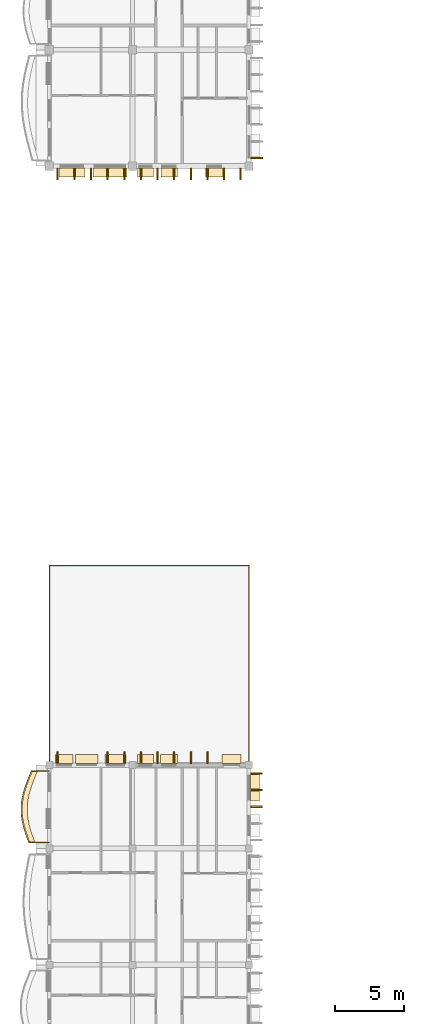
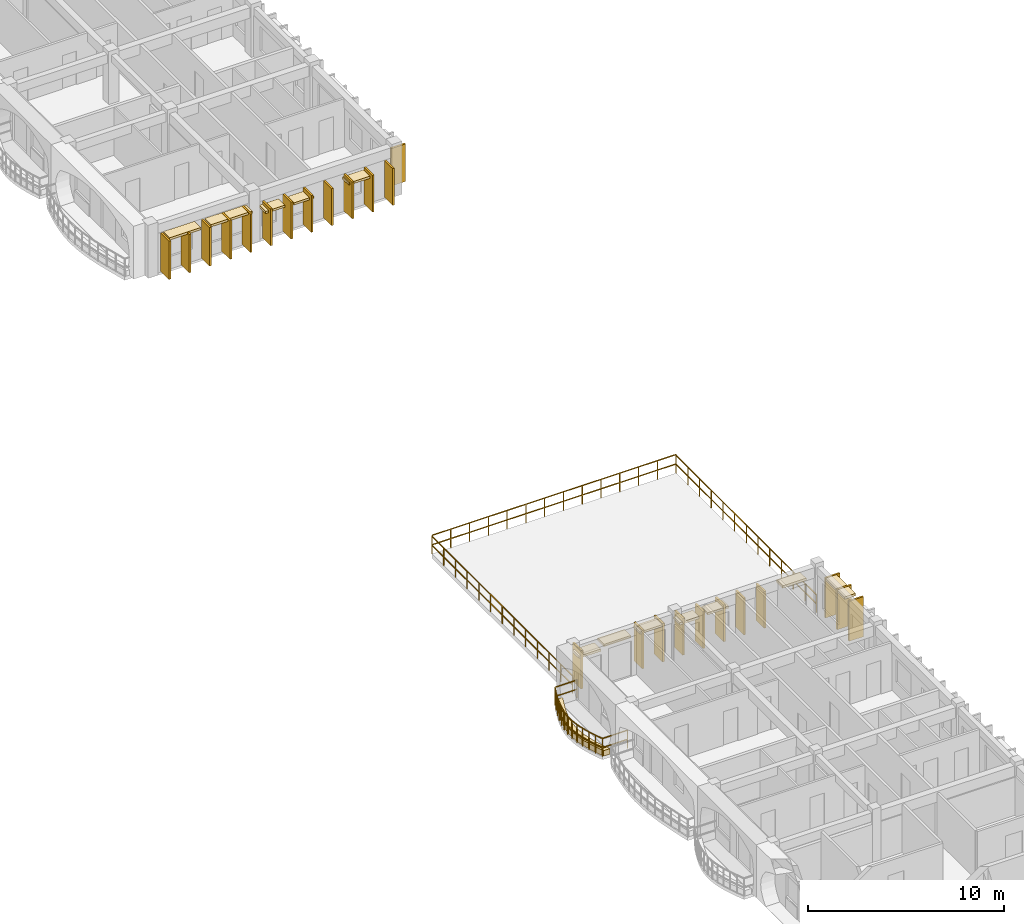
# One storey, part 40 of 59: 37 coverings, 4 railings.
"""IFC4 building model written with IfcOpenShell, lengths in metres."""

from ifc_helpers import new_model, si_unit, direction, frame, origin, origin_2d, place, context, subcontext, project, spatial, polyline, rectangle, outline, extrude, material, layer, layer_set, type_object, element, save


model = new_model("IFC4")

# Units and contexts
model_context = context("Model", 3, precision=1e-05, world=origin(), true_north=direction((0.0, 1.0)))
body_context = subcontext(model_context, "Body", "Model", "MODEL_VIEW")
ifc_project = project(units=[si_unit("LENGTHUNIT", "METRE"), si_unit("AREAUNIT", "SQUARE_METRE"), si_unit("VOLUMEUNIT", "CUBIC_METRE"), si_unit("PLANEANGLEUNIT", "RADIAN"), si_unit("MASSUNIT", "GRAM", prefix="KILO"), si_unit("THERMODYNAMICTEMPERATUREUNIT", "KELVIN")], contexts=[model_context])

# Site, building, storey
site_placement = place(None, origin())
site = spatial("IfcSite", under=ifc_project, at=site_placement, CompositionType="ELEMENT")
building_placement = place(site_placement, origin())
building = spatial("IfcBuilding", under=site, at=building_placement, Name="Thalorik Housing Commons", CompositionType="ELEMENT")
storey_placement = place(building_placement, frame((0.0, 0.0, 27.89990234375)))
storey = spatial("IfcBuildingStorey", under=building, at=storey_placement, Name="L08", CompositionType="ELEMENT", Elevation=27.89990234375)

# Coverings
ifc_material_1 = material(Name="Precast concrete C40/50", Category="concrete")
ifc_layer_1 = layer(ifc_material_1, 0.85009765625, Name="Precast concrete C40/50", Category="concrete")
ifc_layer_set_1 = layer_set([ifc_layer_1], Name="Precast concrete C40/50")
covering_type_1 = type_object("IfcCoveringType", Name="ARC-CLD-FIN-850", PredefinedType="CLADDING", material=ifc_layer_set_1)
for number, where, z_axis, x_axis, name in (
    (1, (9.0, 85.844970703125, 0.0400390625), (0.0, 0.0, 1.0), (1.0, 0.0, 0.0), "L08 Courtyard Precast Vertical Brise-Soleil Fin 873"),
    (2, (10.199951171875, 85.844970703125, 0.0400390625), (0.0, 0.0, 1.0), (1.0, 0.0, 0.0), "L08 Courtyard Precast Vertical Brise-Soleil Fin 874"),
    (3, (11.39990234375, 85.844970703125, 0.0400390625), (0.0, 0.0, 1.0), (1.0, 0.0, 0.0), "L08 Courtyard Precast Vertical Brise-Soleil Fin 875"),
    (4, (12.60009765625, 85.844970703125, 0.0400390625), (0.0, 0.0, 1.0), (1.0, 0.0, 0.0), "L08 Courtyard Precast Vertical Brise-Soleil Fin 876"),
    (5, (13.800048828125, 85.844970703125, 0.0400390625), (0.0, 0.0, 1.0), (1.0, 0.0, 0.0), "L08 Courtyard Precast Vertical Brise-Soleil Fin 877"),
):
    element("IfcCovering", number, at=place(storey_placement, frame(where, z_axis=z_axis, x_axis=x_axis)), inside=storey, type_object=covering_type_1, Name=name, PredefinedType="CLADDING", context=body_context, shape_type="SweptSolid", body=[
        extrude(rectangle(XDim=0.110107421875, YDim=0.85009765625, at=origin_2d()), origin(), (0.0, 0.0, 1.0), 2.39501953125),
    ])
for number, where, z_axis, x_axis, name in (
    (6, (15.0, 85.844970703125, 0.0400390625), (0.0, 0.0, 1.0), (1.0, 0.0, 0.0), "L08 Courtyard Precast Vertical Brise-Soleil Fin 880"),
    (7, (16.199951171875, 85.844970703125, 0.0400390625), (0.0, 0.0, 1.0), (1.0, 0.0, 0.0), "L08 Courtyard Precast Vertical Brise-Soleil Fin 881"),
    (8, (17.39990234375, 85.844970703125, 0.0400390625), (0.0, 0.0, 1.0), (1.0, 0.0, 0.0), "L08 Courtyard Precast Vertical Brise-Soleil Fin 882"),
    (9, (18.60009765625, 85.844970703125, 0.0400390625), (0.0, 0.0, 1.0), (1.0, 0.0, 0.0), "L08 Courtyard Precast Vertical Brise-Soleil Fin 883"),
    (10, (19.800048828125, 85.844970703125, 0.0400390625), (0.0, 0.0, 1.0), (1.0, 0.0, 0.0), "L08 Courtyard Precast Vertical Brise-Soleil Fin 884"),
    (11, (21.0, 85.844970703125, 0.0400390625), (0.0, 0.0, 1.0), (1.0, 0.0, 0.0), "L08 Courtyard Precast Vertical Brise-Soleil Fin 885"),
    (12, (22.199951171875, 85.844970703125, 0.0400390625), (0.0, 0.0, 1.0), (1.0, 0.0, 0.0), "L08 Courtyard Precast Vertical Brise-Soleil Fin 886"),
):
    element("IfcCovering", number, at=place(storey_placement, frame(where, z_axis=z_axis, x_axis=x_axis)), inside=storey, type_object=covering_type_1, Name=name, PredefinedType="CLADDING", context=body_context, shape_type="SweptSolid", body=[
        extrude(rectangle(XDim=0.110107421875, YDim=0.85009765625, at=origin_2d()), origin(), (0.0, 0.0, 1.0), 2.294921875),
    ])
covering_1_placement = place(storey_placement, frame((23.35498046875, 87.0, 0.0400390625), z_axis=(0.0, 0.0, 1.0), x_axis=(0.0, 1.0, 0.0)))
element("IfcCovering", 13, at=covering_1_placement, inside=storey, type_object=covering_type_1, Name="L08 Courtyard Precast Vertical Brise-Soleil Fin 890", PredefinedType="CLADDING", context=body_context, shape_type="SweptSolid", body=[
    extrude(rectangle(XDim=0.110107421875, YDim=0.85009765625, at=origin_2d()), origin(), (0.0, 0.0, 1.0), 2.344970703125),
])
for number, where, z_axis, x_axis, name in (
    (14, (23.342529296875, 40.199951171875, 0.0400390625), (0.0, 0.0, 1.0), (0.0, 1.0, 0.0), "L08 Courtyard Precast Vertical Brise-Soleil Fin 4280"),
    (15, (23.342529296875, 41.39990234375, 0.0400390625), (0.0, 0.0, 1.0), (0.0, 1.0, 0.0), "L08 Courtyard Precast Vertical Brise-Soleil Fin 4281"),
    (16, (23.342529296875, 42.60009765625, 0.0400390625), (0.0, 0.0, 1.0), (0.0, 1.0, 0.0), "L08 Courtyard Precast Vertical Brise-Soleil Fin 4282"),
):
    element("IfcCovering", number, at=place(storey_placement, frame(where, z_axis=z_axis, x_axis=x_axis)), inside=storey, type_object=covering_type_1, Name=name, PredefinedType="CLADDING", context=body_context, shape_type="SweptSolid", body=[
        extrude(rectangle(XDim=0.110107421875, YDim=0.85009765625, at=origin_2d()), origin(), (0.0, 0.0, 1.0), 2.4951171875),
    ])
for number, where, z_axis, x_axis, name in (
    (17, (19.800048828125, 43.742431640625, 0.0400390625), (0.0, 0.0, 1.0), (-1.0, 0.0, 0.0), "L08 Courtyard Precast Vertical Brise-Soleil Fin 4285"),
    (18, (18.60009765625, 43.742431640625, 0.0400390625), (0.0, 0.0, 1.0), (-1.0, 0.0, 0.0), "L08 Courtyard Precast Vertical Brise-Soleil Fin 4286"),
    (19, (17.39990234375, 43.742431640625, 0.0400390625), (0.0, 0.0, 1.0), (-1.0, 0.0, 0.0), "L08 Courtyard Precast Vertical Brise-Soleil Fin 4287"),
    (20, (16.199951171875, 43.742431640625, 0.0400390625), (0.0, 0.0, 1.0), (-1.0, 0.0, 0.0), "L08 Courtyard Precast Vertical Brise-Soleil Fin 4288"),
    (21, (15.0, 43.742431640625, 0.0400390625), (0.0, 0.0, 1.0), (-1.0, 0.0, 0.0), "L08 Courtyard Precast Vertical Brise-Soleil Fin 4289"),
):
    element("IfcCovering", number, at=place(storey_placement, frame(where, z_axis=z_axis, x_axis=x_axis)), inside=storey, type_object=covering_type_1, Name=name, PredefinedType="CLADDING", context=body_context, shape_type="SweptSolid", body=[
        extrude(rectangle(XDim=0.110107421875, YDim=0.85009765625, at=origin_2d()), origin(), (0.0, 0.0, 1.0), 2.294921875),
    ])
for number, where, z_axis, x_axis, name in (
    (22, (13.800048828125, 43.742431640625, 0.0400390625), (0.0, 0.0, 1.0), (-1.0, 0.0, 0.0), "L08 Courtyard Precast Vertical Brise-Soleil Fin 4293"),
    (23, (12.60009765625, 43.742431640625, 0.0400390625), (0.0, 0.0, 1.0), (-1.0, 0.0, 0.0), "L08 Courtyard Precast Vertical Brise-Soleil Fin 4294"),
    (24, (9.0, 43.742431640625, 0.0400390625), (0.0, 0.0, 1.0), (-1.0, 0.0, 0.0), "L08 Courtyard Precast Vertical Brise-Soleil Fin 4295"),
):
    element("IfcCovering", number, at=place(storey_placement, frame(where, z_axis=z_axis, x_axis=x_axis)), inside=storey, type_object=covering_type_1, Name=name, PredefinedType="CLADDING", context=body_context, shape_type="SweptSolid", body=[
        extrude(rectangle(XDim=0.110107421875, YDim=0.85009765625, at=origin_2d()), origin(), (0.0, 0.0, 1.0), 2.39501953125),
    ])
ifc_layer_2 = layer(ifc_material_1, 0.64990234375, Name="Precast concrete C40/50", Category="concrete")
ifc_layer_set_2 = layer_set([ifc_layer_2], Name="Precast concrete C40/50")
covering_type_2 = type_object("IfcCoveringType", Name="ARC-CLD-HOOD-650", PredefinedType="CLADDING", material=ifc_layer_set_2)
covering_2_placement = place(storey_placement, frame((10.030029296875, 85.945068359375, 2.3251953125), z_axis=(0.0, 0.0, 1.0), x_axis=(1.0, 0.0, 0.0)))
element("IfcCovering", 25, at=covering_2_placement, inside=storey, type_object=covering_type_2, Name="L08 Courtyard Precast Window Sun-Hood 878", PredefinedType="CLADDING", context=body_context, shape_type="SweptSolid", body=[
    extrude(rectangle(XDim=1.840087890625, YDim=0.64990234375, at=origin_2d()), origin(), (0.0, 0.0, 1.0), 0.139892578125),
])
covering_3_placement = place(storey_placement, frame((12.77001953125, 85.945068359375, 2.2900390625), z_axis=(0.0, 0.0, 1.0), x_axis=(1.0, 0.0, 0.0)))
element("IfcCovering", 26, at=covering_3_placement, inside=storey, type_object=covering_type_2, Name="L08 Courtyard Precast Window Sun-Hood 879", PredefinedType="CLADDING", context=body_context, shape_type="SweptSolid", body=[
    extrude(rectangle(XDim=2.43994140625, YDim=0.64990234375, at=origin_2d()), origin(), (0.0, 0.0, 1.0), 0.139892578125),
])
covering_4_placement = place(storey_placement, frame((15.3349609375, 85.945068359375, 1.990234375), z_axis=(0.0, 0.0, 1.0), x_axis=(1.0, 0.0, 0.0)))
element("IfcCovering", 27, at=covering_4_placement, inside=storey, type_object=covering_type_2, Name="L08 Courtyard Precast Window Sun-Hood 887", PredefinedType="CLADDING", context=body_context, shape_type="SweptSolid", body=[
    extrude(rectangle(XDim=1.139892578125, YDim=0.64990234375, at=origin_2d()), origin(), (0.0, 0.0, 1.0), 0.139892578125),
])
covering_5_placement = place(storey_placement, frame((17.030029296875, 85.945068359375, 1.93994140625), z_axis=(0.0, 0.0, 1.0), x_axis=(1.0, 0.0, 0.0)))
element("IfcCovering", 28, at=covering_5_placement, inside=storey, type_object=covering_type_2, Name="L08 Courtyard Precast Window Sun-Hood 888", PredefinedType="CLADDING", context=body_context, shape_type="SweptSolid", body=[
    extrude(rectangle(XDim=1.18994140625, YDim=0.64990234375, at=origin_2d()), origin(), (0.0, 0.0, 1.0), 0.139892578125),
])
covering_6_placement = place(storey_placement, frame((20.294921875, 85.945068359375, 2.0400390625), z_axis=(0.0, 0.0, 1.0), x_axis=(1.0, 0.0, 0.0)))
element("IfcCovering", 29, at=covering_6_placement, inside=storey, type_object=covering_type_2, Name="L08 Courtyard Precast Window Sun-Hood 889", PredefinedType="CLADDING", context=body_context, shape_type="SweptSolid", body=[
    extrude(rectangle(XDim=1.239990234375, YDim=0.64990234375, at=origin_2d()), origin(), (0.0, 0.0, 1.0), 0.139892578125),
])
covering_7_placement = place(storey_placement, frame((23.242431640625, 41.570068359375, 2.39013671875), z_axis=(0.0, 0.0, 1.0), x_axis=(0.0, 1.0, 0.0)))
element("IfcCovering", 30, at=covering_7_placement, inside=storey, type_object=covering_type_2, Name="L08 Courtyard Precast Window Sun-Hood 4284", PredefinedType="CLADDING", context=body_context, shape_type="SweptSolid", body=[
    extrude(rectangle(XDim=1.93994140625, YDim=0.64990234375, at=origin_2d()), origin(), (0.0, 0.0, 1.0), 0.139892578125),
])
covering_8_placement = place(storey_placement, frame((21.53271484375, 43.642578125, 2.16015625), z_axis=(0.0, 0.0, 1.0), x_axis=(-1.0, 0.0, 0.0)))
element("IfcCovering", 31, at=covering_8_placement, inside=storey, type_object=covering_type_2, Name="L08 Courtyard Precast Window Sun-Hood 4290", PredefinedType="CLADDING", context=body_context, shape_type="SweptSolid", body=[
    extrude(rectangle(XDim=1.389892578125, YDim=0.64990234375, at=origin_2d()), origin(), (0.0, 0.0, 1.0), 0.139892578125),
])
covering_9_placement = place(storey_placement, frame((17.030029296875, 43.642578125, 2.0400390625), z_axis=(0.0, 0.0, 1.0), x_axis=(-1.0, 0.0, 0.0)))
element("IfcCovering", 32, at=covering_9_placement, inside=storey, type_object=covering_type_2, Name="L08 Courtyard Precast Window Sun-Hood 4291", PredefinedType="CLADDING", context=body_context, shape_type="SweptSolid", body=[
    extrude(rectangle(XDim=1.239990234375, YDim=0.64990234375, at=origin_2d()), origin(), (0.0, 0.0, 1.0), 0.139892578125),
])
covering_10_placement = place(storey_placement, frame((15.3349609375, 43.642578125, 1.990234375), z_axis=(0.0, 0.0, 1.0), x_axis=(-1.0, 0.0, 0.0)))
element("IfcCovering", 33, at=covering_10_placement, inside=storey, type_object=covering_type_2, Name="L08 Courtyard Precast Window Sun-Hood 4292", PredefinedType="CLADDING", context=body_context, shape_type="SweptSolid", body=[
    extrude(rectangle(XDim=1.139892578125, YDim=0.64990234375, at=origin_2d()), origin(), (0.0, 0.0, 1.0), 0.139892578125),
])
covering_11_placement = place(storey_placement, frame((11.092529296875, 43.642578125, 2.2099609375), z_axis=(0.0, 0.0, 1.0), x_axis=(-1.0, 0.0, 0.0)))
element("IfcCovering", 34, at=covering_11_placement, inside=storey, type_object=covering_type_2, Name="L08 Courtyard Precast Window Sun-Hood 4296", PredefinedType="CLADDING", context=body_context, shape_type="SweptSolid", body=[
    extrude(rectangle(XDim=1.590087890625, YDim=0.64990234375, at=origin_2d()), origin(), (0.0, 0.0, 1.0), 0.139892578125),
])
covering_12_placement = place(storey_placement, frame((9.46875, 43.642578125, 1.990234375), z_axis=(0.0, 0.0, 1.0), x_axis=(-1.0, 0.0, 0.0)))
element("IfcCovering", 35, at=covering_12_placement, inside=storey, type_object=covering_type_2, Name="L08 Courtyard Precast Window Sun-Hood 4297", PredefinedType="CLADDING", context=body_context, shape_type="SweptSolid", body=[
    extrude(rectangle(XDim=1.2900390625, YDim=0.64990234375, at=origin_2d()), origin(), (0.0, 0.0, 1.0), 0.139892578125),
])
covering_13_placement = place(storey_placement, frame((13.163818359375, 43.642578125, 2.240234375), z_axis=(0.0, 0.0, 1.0), x_axis=(-1.0, 0.0, 0.0)))
element("IfcCovering", 36, at=covering_13_placement, inside=storey, type_object=covering_type_2, Name="L08 Courtyard Precast Window Sun-Hood 4298", PredefinedType="CLADDING", context=body_context, shape_type="SweptSolid", body=[
    extrude(rectangle(XDim=1.489990234375, YDim=0.64990234375, at=origin_2d()), origin(), (0.0, 0.0, 1.0), 0.139892578125),
])
ifc_material_2 = material(Name="Planted vegetated substrate and terracotta trough", Category="masonry")
ifc_layer_3 = layer(ifc_material_2, 0.340087890625, Name="Planted vegetated substrate and terracotta trough", Category="masonry")
ifc_layer_set_3 = layer_set([ifc_layer_3], Name="Planted vegetated substrate and terracotta trough")
covering_type_3 = type_object("IfcCoveringType", Name="ARC-COV-PLANTER", PredefinedType="USERDEFINED", material=ifc_layer_set_3)
covering_14_placement = place(storey_placement, origin())
element("IfcCovering", 37, at=covering_14_placement, inside=storey, type_object=covering_type_3, Name="L08 Balcony Slab-Edge Planted Trough 5629", ObjectType="PLANTER", PredefinedType="USERDEFINED", context=body_context, shape_type="SweptSolid", body=[
    extrude(outline(polyline([(7.16845703125, 42.780029296875), (6.990478515625, 42.35009765625), (6.82177734375, 41.919921875), (6.6728515625, 41.489990234375), (6.553466796875, 41.06005859375), (6.470703125, 40.6298828125), (6.429443359375, 40.199951171875), (6.43212890625, 39.77001953125), (6.477783203125, 39.340087890625), (6.56298828125, 38.909912109375), (6.68115234375, 38.47998046875), (6.82421875, 38.050048828125), (6.982421875, 37.6201171875), (7.3623046875, 37.6201171875), (7.204345703125, 38.050048828125), (7.061279296875, 38.47998046875), (6.94287109375, 38.909912109375), (6.85791015625, 39.340087890625), (6.812255859375, 39.77001953125), (6.8095703125, 40.199951171875), (6.8505859375, 40.6298828125), (6.933349609375, 41.06005859375), (7.052978515625, 41.489990234375), (7.201904296875, 41.919921875), (7.37060546875, 42.35009765625), (7.54833984375, 42.780029296875), (7.16845703125, 42.780029296875)])), origin(), (0.0, 0.0, 1.0), 0.340087890625),
])

# Railings
ifc_material_3 = material(Name="Steel S355", Category="steel")
railing_type_1 = type_object("IfcRailingType", Name="ARC-RL-BAL-115", PredefinedType="BALUSTRADE", material=ifc_material_3)
railing_1_placement = place(storey_placement, frame((8.39990234375, 42.780029296875, 0.0)))
element("IfcRailing", 38, at=railing_1_placement, inside=storey, type_object=railing_type_1, Name="L08 Cushion Balcony Guardrail 313", PredefinedType="BALUSTRADE", context=body_context, shape_type="SweptSolid", body=[
    extrude(rectangle(XDim=0.050048828125, YDim=0.050048828125, at=origin_2d()), frame((0.0, 0.0, 1.125), z_axis=(-1.0, 0.0, 0.0), x_axis=(0.0, -1.0, 0.0)), (0.0, 0.0, 1.0), 1.301513671875),
    extrude(rectangle(XDim=0.050048828125, YDim=0.050048828125, at=origin_2d()), frame((0.0, 0.0, 0.5498046875), z_axis=(-1.0, 0.0, 0.0), x_axis=(0.0, -1.0, 0.0)), (0.0, 0.0, 1.0), 1.301513671875),
    extrude(rectangle(XDim=0.050048828125, YDim=0.050048828125, at=origin_2d()), frame((-1.301513671875, 0.0, 1.125), z_axis=(-0.382490814953, -0.923959293734, 0.0), x_axis=(0.923959293734, -0.382490814953, 0.0)), (0.0, 0.0, 1.0), 0.46533203125),
    extrude(rectangle(XDim=0.050048828125, YDim=0.050048828125, at=origin_2d()), frame((-1.301513671875, 0.0, 0.5498046875), z_axis=(-0.382490814953, -0.923959293734, 0.0), x_axis=(0.923959293734, -0.382490814953, 0.0)), (0.0, 0.0, 1.0), 0.46533203125),
    extrude(rectangle(XDim=0.050048828125, YDim=0.050048828125, at=origin_2d()), frame((-1.4794921875, -0.429931640625, 1.125), z_axis=(-0.365096507922, -0.93096967722, 0.0), x_axis=(0.93096967722, -0.365096507922, 0.0)), (0.0, 0.0, 1.0), 0.462158203125),
    extrude(rectangle(XDim=0.050048828125, YDim=0.050048828125, at=origin_2d()), frame((-1.4794921875, -0.429931640625, 0.5498046875), z_axis=(-0.365096507922, -0.93096967722, 0.0), x_axis=(0.93096967722, -0.365096507922, 0.0)), (0.0, 0.0, 1.0), 0.462158203125),
    extrude(rectangle(XDim=0.050048828125, YDim=0.050048828125, at=origin_2d()), frame((-1.648193359375, -0.860107421875, 1.125), z_axis=(-0.327313279786, -0.944915878201, 0.0), x_axis=(0.944915878201, -0.327313279786, 0.0)), (0.0, 0.0, 1.0), 0.455078125),
    extrude(rectangle(XDim=0.050048828125, YDim=0.050048828125, at=origin_2d()), frame((-1.648193359375, -0.860107421875, 0.5498046875), z_axis=(-0.327313279786, -0.944915878201, 0.0), x_axis=(0.944915878201, -0.327313279786, 0.0)), (0.0, 0.0, 1.0), 0.455078125),
    extrude(rectangle(XDim=0.050048828125, YDim=0.050048828125, at=origin_2d()), frame((-1.797119140625, -1.2900390625, 1.125), z_axis=(-0.267559202538, -0.963541422637, 0.0), x_axis=(0.963541422637, -0.267559202538, 0.0)), (0.0, 0.0, 1.0), 0.4462890625),
    extrude(rectangle(XDim=0.050048828125, YDim=0.050048828125, at=origin_2d()), frame((-1.797119140625, -1.2900390625, 0.5498046875), z_axis=(-0.267559202538, -0.963541422637, 0.0), x_axis=(0.963541422637, -0.267559202538, 0.0)), (0.0, 0.0, 1.0), 0.4462890625),
    extrude(rectangle(XDim=0.050048828125, YDim=0.050048828125, at=origin_2d()), frame((-1.91650390625, -1.719970703125, 1.125), z_axis=(-0.188930076075, -0.981990542905, 0.0), x_axis=(0.981990542905, -0.188930076075, 0.0)), (0.0, 0.0, 1.0), 0.43798828125),
    extrude(rectangle(XDim=0.050048828125, YDim=0.050048828125, at=origin_2d()), frame((-1.91650390625, -1.719970703125, 0.5498046875), z_axis=(-0.188930076075, -0.981990542905, 0.0), x_axis=(0.981990542905, -0.188930076075, 0.0)), (0.0, 0.0, 1.0), 0.43798828125),
    extrude(rectangle(XDim=0.050048828125, YDim=0.050048828125, at=origin_2d()), frame((-1.999267578125, -2.150146484375, 1.125), z_axis=(-0.094969151771, -0.995480215882, 0.0), x_axis=(0.995480215882, -0.094969151771, 0.0)), (0.0, 0.0, 1.0), 0.431884765625),
    extrude(rectangle(XDim=0.050048828125, YDim=0.050048828125, at=origin_2d()), frame((-1.999267578125, -2.150146484375, 0.5498046875), z_axis=(-0.094969151771, -0.995480215882, 0.0), x_axis=(0.995480215882, -0.094969151771, 0.0)), (0.0, 0.0, 1.0), 0.431884765625),
    extrude(rectangle(XDim=0.050048828125, YDim=0.050048828125, at=origin_2d()), frame((-2.040283203125, -2.580078125, 1.125), z_axis=(0.006246329021, -0.999980491497, 0.0), x_axis=(0.999980491497, 0.006246329021, 0.0)), (0.0, 0.0, 1.0), 0.429931640625),
    extrude(rectangle(XDim=0.050048828125, YDim=0.050048828125, at=origin_2d()), frame((-2.040283203125, -2.580078125, 0.5498046875), z_axis=(0.006246329021, -0.999980491497, 0.0), x_axis=(0.999980491497, 0.006246329021, 0.0)), (0.0, 0.0, 1.0), 0.429931640625),
    extrude(rectangle(XDim=0.050048828125, YDim=0.050048828125, at=origin_2d()), frame((-2.03759765625, -3.010009765625, 1.125), z_axis=(0.105595970915, -0.994409116474, 0.0), x_axis=(0.994409116474, 0.105595970915, 0.0)), (0.0, 0.0, 1.0), 0.432373046875),
    extrude(rectangle(XDim=0.050048828125, YDim=0.050048828125, at=origin_2d()), frame((-2.03759765625, -3.010009765625, 0.5498046875), z_axis=(0.105595970915, -0.994409116474, 0.0), x_axis=(0.994409116474, 0.105595970915, 0.0)), (0.0, 0.0, 1.0), 0.432373046875),
    extrude(rectangle(XDim=0.050048828125, YDim=0.050048828125, at=origin_2d()), frame((-1.991943359375, -3.43994140625, 1.125), z_axis=(0.1937599553, -0.981048969075, 0.0), x_axis=(0.981048969075, 0.1937599553, 0.0)), (0.0, 0.0, 1.0), 0.4384765625),
    extrude(rectangle(XDim=0.050048828125, YDim=0.050048828125, at=origin_2d()), frame((-1.991943359375, -3.43994140625, 0.5498046875), z_axis=(0.1937599553, -0.981048969075, 0.0), x_axis=(0.981048969075, 0.1937599553, 0.0)), (0.0, 0.0, 1.0), 0.4384765625),
    extrude(rectangle(XDim=0.050048828125, YDim=0.050048828125, at=origin_2d()), frame((-1.906982421875, -3.8701171875, 1.125), z_axis=(0.265016489476, -0.964243880098, 0.0), x_axis=(0.964243880098, 0.265016489476, 0.0)), (0.0, 0.0, 1.0), 0.44580078125),
    extrude(rectangle(XDim=0.050048828125, YDim=0.050048828125, at=origin_2d()), frame((-1.906982421875, -3.8701171875, 0.5498046875), z_axis=(0.265016489476, -0.964243880098, 0.0), x_axis=(0.964243880098, 0.265016489476, 0.0)), (0.0, 0.0, 1.0), 0.44580078125),
    extrude(rectangle(XDim=0.050048828125, YDim=0.050048828125, at=origin_2d()), frame((-1.788818359375, -4.300048828125, 1.125), z_axis=(0.316227766017, -0.948683298051, 0.0), x_axis=(0.948683298051, 0.316227766017, 0.0)), (0.0, 0.0, 1.0), 0.453125),
    extrude(rectangle(XDim=0.050048828125, YDim=0.050048828125, at=origin_2d()), frame((-1.788818359375, -4.300048828125, 0.5498046875), z_axis=(0.316227766017, -0.948683298051, 0.0), x_axis=(0.948683298051, 0.316227766017, 0.0)), (0.0, 0.0, 1.0), 0.453125),
    extrude(rectangle(XDim=0.050048828125, YDim=0.050048828125, at=origin_2d()), frame((-1.6455078125, -4.72998046875, 1.125), z_axis=(0.34486538533, -0.938652153889, 0.0), x_axis=(0.938652153889, 0.34486538533, 0.0)), (0.0, 0.0, 1.0), 0.4580078125),
    extrude(rectangle(XDim=0.050048828125, YDim=0.050048828125, at=origin_2d()), frame((-1.6455078125, -4.72998046875, 0.5498046875), z_axis=(0.34486538533, -0.938652153889, 0.0), x_axis=(0.938652153889, 0.34486538533, 0.0)), (0.0, 0.0, 1.0), 0.4580078125),
    extrude(rectangle(XDim=0.050048828125, YDim=0.050048828125, at=origin_2d()), frame((-1.487548828125, -5.159912109375, 1.125), z_axis=(1.0, 0.0, 0.0), x_axis=(0.0, 1.0, 0.0)), (0.0, 0.0, 1.0), 1.487548828125),
    extrude(rectangle(XDim=0.050048828125, YDim=0.050048828125, at=origin_2d()), frame((-1.487548828125, -5.159912109375, 0.5498046875), z_axis=(1.0, 0.0, 0.0), x_axis=(0.0, 1.0, 0.0)), (0.0, 0.0, 1.0), 1.487548828125),
    extrude(rectangle(XDim=0.0419921875, YDim=0.0419921875, at=origin_2d()), origin(), (0.0, 0.0, 1.0), 1.099853515625),
    extrude(rectangle(XDim=0.0419921875, YDim=0.0419921875, at=origin_2d()), frame((-1.301513671875, 0.0, 0.0)), (0.0, 0.0, 1.0), 1.099853515625),
    extrude(rectangle(XDim=0.0419921875, YDim=0.0419921875, at=origin_2d()), frame((-1.4794921875, -0.429931640625, 0.0)), (0.0, 0.0, 1.0), 1.099853515625),
    extrude(rectangle(XDim=0.0419921875, YDim=0.0419921875, at=origin_2d()), frame((-1.648193359375, -0.860107421875, 0.0)), (0.0, 0.0, 1.0), 1.099853515625),
    extrude(rectangle(XDim=0.0419921875, YDim=0.0419921875, at=origin_2d()), frame((-1.797119140625, -1.2900390625, 0.0)), (0.0, 0.0, 1.0), 1.099853515625),
    extrude(rectangle(XDim=0.0419921875, YDim=0.0419921875, at=origin_2d()), frame((-1.91650390625, -1.719970703125, 0.0)), (0.0, 0.0, 1.0), 1.099853515625),
    extrude(rectangle(XDim=0.0419921875, YDim=0.0419921875, at=origin_2d()), frame((-1.999267578125, -2.150146484375, 0.0)), (0.0, 0.0, 1.0), 1.099853515625),
    extrude(rectangle(XDim=0.0419921875, YDim=0.0419921875, at=origin_2d()), frame((-2.040283203125, -2.580078125, 0.0)), (0.0, 0.0, 1.0), 1.099853515625),
    extrude(rectangle(XDim=0.0419921875, YDim=0.0419921875, at=origin_2d()), frame((-2.03759765625, -3.010009765625, 0.0)), (0.0, 0.0, 1.0), 1.099853515625),
    extrude(rectangle(XDim=0.0419921875, YDim=0.0419921875, at=origin_2d()), frame((-1.991943359375, -3.43994140625, 0.0)), (0.0, 0.0, 1.0), 1.099853515625),
    extrude(rectangle(XDim=0.0419921875, YDim=0.0419921875, at=origin_2d()), frame((-1.906982421875, -3.8701171875, 0.0)), (0.0, 0.0, 1.0), 1.099853515625),
    extrude(rectangle(XDim=0.0419921875, YDim=0.0419921875, at=origin_2d()), frame((-1.788818359375, -4.300048828125, 0.0)), (0.0, 0.0, 1.0), 1.099853515625),
    extrude(rectangle(XDim=0.0419921875, YDim=0.0419921875, at=origin_2d()), frame((-1.6455078125, -4.72998046875, 0.0)), (0.0, 0.0, 1.0), 1.099853515625),
    extrude(rectangle(XDim=0.0419921875, YDim=0.0419921875, at=origin_2d()), frame((-1.487548828125, -5.159912109375, 0.0)), (0.0, 0.0, 1.0), 1.099853515625),
    extrude(rectangle(XDim=0.0419921875, YDim=0.0419921875, at=origin_2d()), frame((0.0, -5.159912109375, 0.0)), (0.0, 0.0, 1.0), 1.099853515625),
])
railing_type_2 = type_object("IfcRailingType", Name="ARC-RL-TER-112", PredefinedType="GUARDRAIL", material=ifc_material_3)
railing_2_placement = place(storey_placement, frame((22.800048828125, 43.25, 0.0)))
element("IfcRailing", 39, at=railing_2_placement, inside=storey, type_object=railing_type_2, Name="L08 L08 North Roof Terrace Edge Guardrail", PredefinedType="GUARDRAIL", context=body_context, shape_type="SweptSolid", body=[
    extrude(rectangle(XDim=0.048095703125, YDim=0.048095703125, at=origin_2d()), frame((0.0, 0.0, 1.09619140625), z_axis=(0.0, 1.0, 0.0), x_axis=(-1.0, 0.0, 0.0)), (0.0, 0.0, 1.0), 14.35009765625),
    extrude(rectangle(XDim=0.048095703125, YDim=0.048095703125, at=origin_2d()), frame((0.0, 0.0, 0.5361328125), z_axis=(0.0, 1.0, 0.0), x_axis=(-1.0, 0.0, 0.0)), (0.0, 0.0, 1.0), 14.35009765625),
    extrude(rectangle(XDim=0.0419921875, YDim=0.0419921875, at=origin_2d()), origin(), (0.0, 0.0, 1.0), 1.072021484375),
    extrude(rectangle(XDim=0.0419921875, YDim=0.0419921875, at=origin_2d()), frame((0.0, 1.19580078125, 0.0)), (0.0, 0.0, 1.0), 1.072021484375),
    extrude(rectangle(XDim=0.0419921875, YDim=0.0419921875, at=origin_2d()), frame((0.0, 2.3916015625, 0.0)), (0.0, 0.0, 1.0), 1.072021484375),
    extrude(rectangle(XDim=0.0419921875, YDim=0.0419921875, at=origin_2d()), frame((0.0, 3.58740234375, 0.0)), (0.0, 0.0, 1.0), 1.072021484375),
    extrude(rectangle(XDim=0.0419921875, YDim=0.0419921875, at=origin_2d()), frame((0.0, 4.783447265625, 0.0)), (0.0, 0.0, 1.0), 1.072021484375),
    extrude(rectangle(XDim=0.0419921875, YDim=0.0419921875, at=origin_2d()), frame((0.0, 5.979248046875, 0.0)), (0.0, 0.0, 1.0), 1.072021484375),
    extrude(rectangle(XDim=0.0419921875, YDim=0.0419921875, at=origin_2d()), frame((0.0, 7.175048828125, 0.0)), (0.0, 0.0, 1.0), 1.072021484375),
    extrude(rectangle(XDim=0.0419921875, YDim=0.0419921875, at=origin_2d()), frame((0.0, 8.370849609375, 0.0)), (0.0, 0.0, 1.0), 1.072021484375),
    extrude(rectangle(XDim=0.0419921875, YDim=0.0419921875, at=origin_2d()), frame((0.0, 9.566650390625, 0.0)), (0.0, 0.0, 1.0), 1.072021484375),
    extrude(rectangle(XDim=0.0419921875, YDim=0.0419921875, at=origin_2d()), frame((0.0, 10.7626953125, 0.0)), (0.0, 0.0, 1.0), 1.072021484375),
    extrude(rectangle(XDim=0.0419921875, YDim=0.0419921875, at=origin_2d()), frame((0.0, 11.95849609375, 0.0)), (0.0, 0.0, 1.0), 1.072021484375),
    extrude(rectangle(XDim=0.0419921875, YDim=0.0419921875, at=origin_2d()), frame((0.0, 13.154296875, 0.0)), (0.0, 0.0, 1.0), 1.072021484375),
    extrude(rectangle(XDim=0.0419921875, YDim=0.0419921875, at=origin_2d()), frame((0.0, 14.35009765625, 0.0)), (0.0, 0.0, 1.0), 1.072021484375),
])
railing_3_placement = place(storey_placement, frame((8.39990234375, 57.60009765625, 0.0)))
element("IfcRailing", 40, at=railing_3_placement, inside=storey, type_object=railing_type_2, Name="L08 L08 North Roof Terrace Edge Guardrail", PredefinedType="GUARDRAIL", context=body_context, shape_type="SweptSolid", body=[
    extrude(rectangle(XDim=0.048095703125, YDim=0.048095703125, at=origin_2d()), frame((0.0, 0.0, 1.09619140625), z_axis=(0.0, -1.0, 0.0), x_axis=(1.0, 0.0, 0.0)), (0.0, 0.0, 1.0), 14.35009765625),
    extrude(rectangle(XDim=0.048095703125, YDim=0.048095703125, at=origin_2d()), frame((0.0, 0.0, 0.5361328125), z_axis=(0.0, -1.0, 0.0), x_axis=(1.0, 0.0, 0.0)), (0.0, 0.0, 1.0), 14.35009765625),
    extrude(rectangle(XDim=0.0419921875, YDim=0.0419921875, at=origin_2d()), origin(), (0.0, 0.0, 1.0), 1.072021484375),
    extrude(rectangle(XDim=0.0419921875, YDim=0.0419921875, at=origin_2d()), frame((0.0, -1.19580078125, 0.0)), (0.0, 0.0, 1.0), 1.072021484375),
    extrude(rectangle(XDim=0.0419921875, YDim=0.0419921875, at=origin_2d()), frame((0.0, -2.3916015625, 0.0)), (0.0, 0.0, 1.0), 1.072021484375),
    extrude(rectangle(XDim=0.0419921875, YDim=0.0419921875, at=origin_2d()), frame((0.0, -3.58740234375, 0.0)), (0.0, 0.0, 1.0), 1.072021484375),
    extrude(rectangle(XDim=0.0419921875, YDim=0.0419921875, at=origin_2d()), frame((0.0, -4.783447265625, 0.0)), (0.0, 0.0, 1.0), 1.072021484375),
    extrude(rectangle(XDim=0.0419921875, YDim=0.0419921875, at=origin_2d()), frame((0.0, -5.979248046875, 0.0)), (0.0, 0.0, 1.0), 1.072021484375),
    extrude(rectangle(XDim=0.0419921875, YDim=0.0419921875, at=origin_2d()), frame((0.0, -7.175048828125, 0.0)), (0.0, 0.0, 1.0), 1.072021484375),
    extrude(rectangle(XDim=0.0419921875, YDim=0.0419921875, at=origin_2d()), frame((0.0, -8.370849609375, 0.0)), (0.0, 0.0, 1.0), 1.072021484375),
    extrude(rectangle(XDim=0.0419921875, YDim=0.0419921875, at=origin_2d()), frame((0.0, -9.566650390625, 0.0)), (0.0, 0.0, 1.0), 1.072021484375),
    extrude(rectangle(XDim=0.0419921875, YDim=0.0419921875, at=origin_2d()), frame((0.0, -10.7626953125, 0.0)), (0.0, 0.0, 1.0), 1.072021484375),
    extrude(rectangle(XDim=0.0419921875, YDim=0.0419921875, at=origin_2d()), frame((0.0, -11.95849609375, 0.0)), (0.0, 0.0, 1.0), 1.072021484375),
    extrude(rectangle(XDim=0.0419921875, YDim=0.0419921875, at=origin_2d()), frame((0.0, -13.154296875, 0.0)), (0.0, 0.0, 1.0), 1.072021484375),
    extrude(rectangle(XDim=0.0419921875, YDim=0.0419921875, at=origin_2d()), frame((0.0, -14.35009765625, 0.0)), (0.0, 0.0, 1.0), 1.072021484375),
])
railing_type_3 = type_object("IfcRailingType", Name="ARC-RL-TER-118", PredefinedType="GUARDRAIL", material=ifc_material_3)
railing_4_placement = place(storey_placement, frame((22.800048828125, 57.60009765625, 0.0)))
element("IfcRailing", 41, at=railing_4_placement, inside=storey, type_object=railing_type_3, Name="L08 L08 North Roof Terrace Edge Guardrail", PredefinedType="GUARDRAIL", context=body_context, shape_type="SweptSolid", body=[
    extrude(rectangle(XDim=0.048095703125, YDim=0.048095703125, at=origin_2d()), frame((0.0, 0.0, 1.15576171875), z_axis=(-1.0, 0.0, 0.0), x_axis=(0.0, -1.0, 0.0)), (0.0, 0.0, 1.0), 14.400146484375),
    extrude(rectangle(XDim=0.048095703125, YDim=0.048095703125, at=origin_2d()), frame((0.0, 0.0, 0.56591796875), z_axis=(-1.0, 0.0, 0.0), x_axis=(0.0, -1.0, 0.0)), (0.0, 0.0, 1.0), 14.400146484375),
    extrude(rectangle(XDim=0.0419921875, YDim=0.0419921875, at=origin_2d()), origin(), (0.0, 0.0, 1.0), 1.1318359375),
    extrude(rectangle(XDim=0.0419921875, YDim=0.0419921875, at=origin_2d()), frame((-1.107666015625, 0.0, 0.0)), (0.0, 0.0, 1.0), 1.1318359375),
    extrude(rectangle(XDim=0.0419921875, YDim=0.0419921875, at=origin_2d()), frame((-2.21533203125, 0.0, 0.0)), (0.0, 0.0, 1.0), 1.1318359375),
    extrude(rectangle(XDim=0.0419921875, YDim=0.0419921875, at=origin_2d()), frame((-3.322998046875, 0.0, 0.0)), (0.0, 0.0, 1.0), 1.1318359375),
    extrude(rectangle(XDim=0.0419921875, YDim=0.0419921875, at=origin_2d()), frame((-4.430908203125, 0.0, 0.0)), (0.0, 0.0, 1.0), 1.1318359375),
    extrude(rectangle(XDim=0.0419921875, YDim=0.0419921875, at=origin_2d()), frame((-5.53857421875, 0.0, 0.0)), (0.0, 0.0, 1.0), 1.1318359375),
    extrude(rectangle(XDim=0.0419921875, YDim=0.0419921875, at=origin_2d()), frame((-6.646240234375, 0.0, 0.0)), (0.0, 0.0, 1.0), 1.1318359375),
    extrude(rectangle(XDim=0.0419921875, YDim=0.0419921875, at=origin_2d()), frame((-7.75390625, 0.0, 0.0)), (0.0, 0.0, 1.0), 1.1318359375),
    extrude(rectangle(XDim=0.0419921875, YDim=0.0419921875, at=origin_2d()), frame((-8.861572265625, 0.0, 0.0)), (0.0, 0.0, 1.0), 1.1318359375),
    extrude(rectangle(XDim=0.0419921875, YDim=0.0419921875, at=origin_2d()), frame((-9.96923828125, 0.0, 0.0)), (0.0, 0.0, 1.0), 1.1318359375),
    extrude(rectangle(XDim=0.0419921875, YDim=0.0419921875, at=origin_2d()), frame((-11.0771484375, 0.0, 0.0)), (0.0, 0.0, 1.0), 1.1318359375),
    extrude(rectangle(XDim=0.0419921875, YDim=0.0419921875, at=origin_2d()), frame((-12.184814453125, 0.0, 0.0)), (0.0, 0.0, 1.0), 1.1318359375),
    extrude(rectangle(XDim=0.0419921875, YDim=0.0419921875, at=origin_2d()), frame((-13.29248046875, 0.0, 0.0)), (0.0, 0.0, 1.0), 1.1318359375),
    extrude(rectangle(XDim=0.0419921875, YDim=0.0419921875, at=origin_2d()), frame((-14.400146484375, 0.0, 0.0)), (0.0, 0.0, 1.0), 1.1318359375),
])

save(model, "model.ifc")
